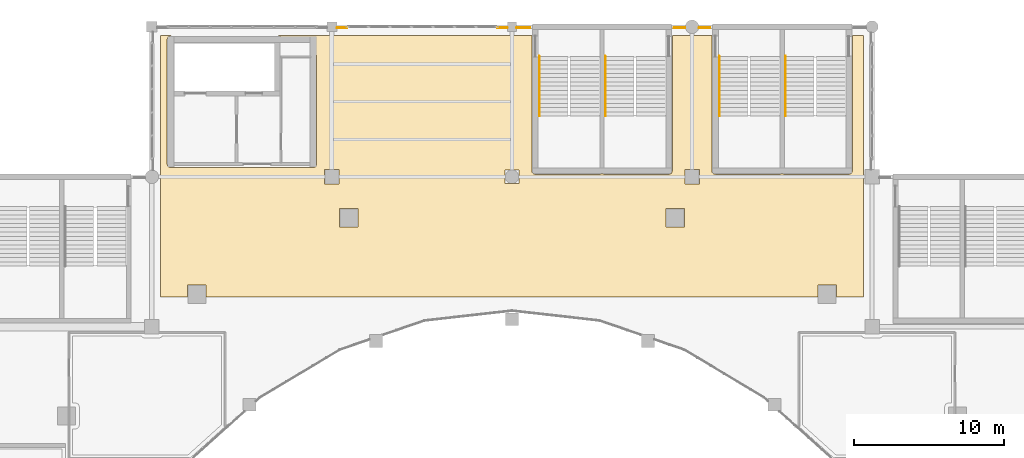
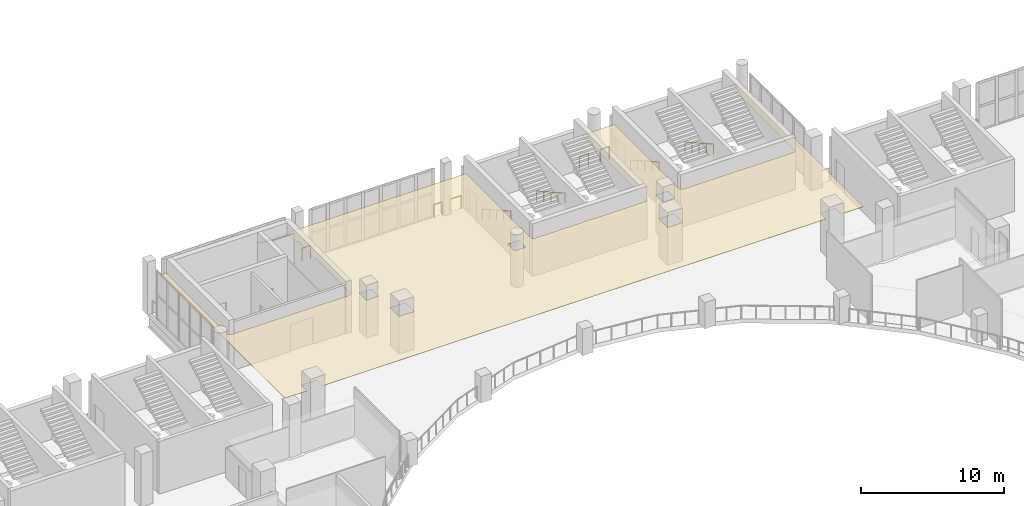
# One storey, part 85 of 90: 9 railings, 1 covering.
"""IFC4 building model written with IfcOpenShell, lengths in metres."""

from ifc_helpers import new_model, si_unit, direction, frame, origin, origin_2d, place, context, subcontext, project, spatial, polyline, circle, outline, extrude, material, layer, layer_set, type_object, element, save


model = new_model("IFC4")

# Units and contexts
model_context = context("Model", 3, precision=1e-05, world=origin(), true_north=direction((0.0, 1.0)))
body_context = subcontext(model_context, "Body", "Model", "MODEL_VIEW")
ifc_project = project(units=[si_unit("LENGTHUNIT", "METRE"), si_unit("AREAUNIT", "SQUARE_METRE"), si_unit("VOLUMEUNIT", "CUBIC_METRE"), si_unit("PLANEANGLEUNIT", "RADIAN"), si_unit("MASSUNIT", "GRAM", prefix="KILO")], contexts=[model_context])

# Site, building, storey
site_placement = place(None, origin())
site = spatial("IfcSite", under=ifc_project, at=site_placement, CompositionType="ELEMENT")
building_placement = place(site_placement, origin())
building = spatial("IfcBuilding", under=site, at=building_placement, Name="Brinegate Civic Arena", CompositionType="ELEMENT")
storey_placement = place(building_placement, frame((0.0, 0.0, 14.699951171875)))
storey = spatial("IfcBuildingStorey", under=building, at=storey_placement, Name="L03", CompositionType="ELEMENT", Elevation=14.699951171875)

# Covering
ifc_material_1 = material(Name="Acoustic perforated aluminium ceiling", Category="aluminium")
ifc_layer = layer(ifc_material_1, 0.034912109375, Name="Acoustic perforated aluminium ceiling")
ifc_layer_set = layer_set([ifc_layer], Name="Acoustic perforated aluminium ceiling")
covering_type = type_object("IfcCoveringType", Name="CEILING-ACOUSTIC-35", PredefinedType="CEILING", material=ifc_layer_set)
covering_placement = place(storey_placement, frame((0.0, 0.0, 3.22509765625)))
element("IfcCovering", 1, at=covering_placement, inside=storey, type_object=covering_type, Name="Acoustic Ceiling L03-003", PredefinedType="CEILING", context=body_context, shape_type="SweptSolid", body=[
    extrude(outline(polyline([(85.25390625, 123.419921875), (85.256103515625, 123.4189453125), (85.258056640625, 123.41796875), (85.259033203125, 123.41796875), (85.260986328125, 123.4169921875), (85.262939453125, 123.4150390625), (85.263916015625, 123.4140625), (85.264892578125, 123.4130859375), (85.26708984375, 123.410888671875), (85.26806640625, 123.408935546875), (85.26806640625, 123.407958984375), (85.26904296875, 123.406005859375), (85.27001953125, 123.404052734375), (85.27001953125, 123.402099609375), (85.27001953125, 123.39990234375), (85.27001953125, 123.39794921875), (85.27001953125, 123.39599609375), (85.26904296875, 123.39404296875), (85.26806640625, 123.39208984375), (85.26806640625, 123.39111328125), (85.26708984375, 123.388916015625), (85.264892578125, 123.386962890625), (85.263916015625, 123.385986328125), (85.262939453125, 123.385009765625), (85.260986328125, 123.383056640625), (85.259033203125, 123.382080078125), (85.258056640625, 123.382080078125), (85.256103515625, 123.381103515625), (85.25390625, 123.3798828125), (85.251953125, 123.3798828125), (85.205078125, 123.375), (85.162109375, 123.362060546875), (85.1220703125, 123.341064453125), (85.0869140625, 123.31298828125), (85.05908203125, 123.278076171875), (85.0380859375, 123.238037109375), (85.02490234375, 123.195068359375), (85.02001953125, 123.14892578125), (85.02001953125, 119.551025390625), (85.02490234375, 119.501953125), (85.02490234375, 119.5), (85.02490234375, 119.498046875), (85.02001953125, 119.448974609375), (85.02001953125, 114.85107421875), (85.02490234375, 114.804931640625), (85.0380859375, 114.761962890625), (85.05908203125, 114.721923828125), (85.0869140625, 114.68701171875), (85.1220703125, 114.658935546875), (85.162109375, 114.637939453125), (85.205078125, 114.625), (85.2509765625, 114.6201171875), (89.59912109375, 114.6201171875), (89.64794921875, 114.625), (89.64990234375, 114.625), (89.652099609375, 114.625), (89.700927734375, 114.6201171875), (92.4990234375, 114.6201171875), (92.548095703125, 114.625), (92.550048828125, 114.625), (92.552001953125, 114.625), (92.60107421875, 114.6201171875), (94.75, 114.6201171875), (94.77294921875, 114.62109375), (94.81689453125, 114.6298828125), (94.85888671875, 114.64794921875), (94.89599609375, 114.673095703125), (94.927001953125, 114.7041015625), (94.952880859375, 114.741943359375), (94.9619140625, 114.760986328125), (94.97509765625, 114.804931640625), (94.97998046875, 114.85107421875), (94.97998046875, 122.0), (94.97900390625, 122.02294921875), (94.969970703125, 122.06689453125), (94.951904296875, 122.10888671875), (94.94091796875, 122.1279296875), (94.927978515625, 122.14599609375), (94.89599609375, 122.177001953125), (94.85791015625, 122.202880859375), (94.837890625, 122.212890625), (94.818115234375, 122.219970703125), (94.800048828125, 122.222900390625), (94.800048828125, 123.199951171875), (92.674072265625, 123.199951171875), (92.669921875, 123.217041015625), (92.652099609375, 123.259033203125), (92.626953125, 123.2958984375), (92.595947265625, 123.326904296875), (92.55810546875, 123.35302734375), (92.5390625, 123.362060546875), (92.4951171875, 123.375), (92.447998046875, 123.3798828125), (92.446044921875, 123.3798828125), (92.444091796875, 123.381103515625), (92.44189453125, 123.382080078125), (92.44091796875, 123.382080078125), (92.43896484375, 123.383056640625), (92.43701171875, 123.385009765625), (92.43603515625, 123.385986328125), (92.43505859375, 123.386962890625), (92.43310546875, 123.388916015625), (92.431884765625, 123.39111328125), (92.431884765625, 123.39208984375), (92.430908203125, 123.39404296875), (92.429931640625, 123.39599609375), (92.429931640625, 123.39794921875), (92.429931640625, 123.39990234375), (92.429931640625, 123.402099609375), (92.429931640625, 123.404052734375), (92.430908203125, 123.406005859375), (92.431884765625, 123.407958984375), (92.431884765625, 123.408935546875), (92.43310546875, 123.410888671875), (92.43505859375, 123.4130859375), (92.43603515625, 123.4140625), (92.43701171875, 123.4150390625), (92.43896484375, 123.4169921875), (92.44091796875, 123.41796875), (92.44189453125, 123.41796875), (92.444091796875, 123.4189453125), (92.446044921875, 123.419921875), (92.447998046875, 123.419921875), (92.449951171875, 123.419921875), (109.300048828125, 123.419921875), (109.302001953125, 123.419921875), (109.303955078125, 123.419921875), (109.305908203125, 123.4189453125), (109.30810546875, 123.41796875), (109.30908203125, 123.41796875), (109.31103515625, 123.4169921875), (109.31298828125, 123.4150390625), (109.31396484375, 123.4140625), (109.31494140625, 123.4130859375), (109.31689453125, 123.410888671875), (109.318115234375, 123.408935546875), (109.318115234375, 123.407958984375), (109.319091796875, 123.406005859375), (109.320068359375, 123.404052734375), (109.320068359375, 123.402099609375), (109.320068359375, 123.39990234375), (109.320068359375, 114.40087890625), (109.324951171875, 114.35498046875), (109.337890625, 114.31201171875), (109.35888671875, 114.27197265625), (109.386962890625, 114.237060546875), (109.422119140625, 114.208984375), (109.4619140625, 114.18798828125), (109.5048828125, 114.175048828125), (109.551025390625, 114.169921875), (113.85498046875, 114.169921875), (113.8779296875, 114.1708984375), (113.922119140625, 114.179931640625), (113.964111328125, 114.197998046875), (113.989013671875, 114.214111328125), (113.990966796875, 114.215087890625), (113.992919921875, 114.216064453125), (113.9951171875, 114.216064453125), (113.9970703125, 114.217041015625), (113.9990234375, 114.217041015625), (114.0009765625, 114.217041015625), (114.0029296875, 114.217041015625), (114.0048828125, 114.216064453125), (114.007080078125, 114.216064453125), (114.009033203125, 114.215087890625), (114.010986328125, 114.214111328125), (114.035888671875, 114.197998046875), (114.077880859375, 114.179931640625), (114.1220703125, 114.1708984375), (114.14501953125, 114.169921875), (118.448974609375, 114.169921875), (118.4951171875, 114.175048828125), (118.5380859375, 114.18798828125), (118.577880859375, 114.208984375), (118.613037109375, 114.237060546875), (118.64111328125, 114.27197265625), (118.662109375, 114.31201171875), (118.675048828125, 114.35498046875), (118.679931640625, 114.40087890625), (118.679931640625, 123.39990234375), (118.679931640625, 123.402099609375), (118.679931640625, 123.404052734375), (118.680908203125, 123.406005859375), (118.681884765625, 123.407958984375), (118.681884765625, 123.408935546875), (118.68310546875, 123.410888671875), (118.68505859375, 123.4130859375), (118.68603515625, 123.4140625), (118.68701171875, 123.4150390625), (118.68896484375, 123.4169921875), (118.69091796875, 123.41796875), (118.69189453125, 123.41796875), (118.694091796875, 123.4189453125), (118.696044921875, 123.419921875), (118.697998046875, 123.419921875), (118.699951171875, 123.419921875), (121.300048828125, 123.419921875), (121.302001953125, 123.419921875), (121.303955078125, 123.419921875), (121.305908203125, 123.4189453125), (121.30810546875, 123.41796875), (121.30908203125, 123.41796875), (121.31103515625, 123.4169921875), (121.31298828125, 123.4150390625), (121.31396484375, 123.4140625), (121.31494140625, 123.4130859375), (121.31689453125, 123.410888671875), (121.318115234375, 123.408935546875), (121.318115234375, 123.407958984375), (121.319091796875, 123.406005859375), (121.320068359375, 123.404052734375), (121.320068359375, 123.402099609375), (121.320068359375, 123.39990234375), (121.320068359375, 114.39990234375), (121.321044921875, 114.376953125), (121.330078125, 114.3330078125), (121.347900390625, 114.291015625), (121.373046875, 114.25390625), (121.404052734375, 114.222900390625), (121.44189453125, 114.197021484375), (121.4609375, 114.18798828125), (121.5048828125, 114.175048828125), (121.551025390625, 114.169921875), (125.85498046875, 114.169921875), (125.8779296875, 114.1708984375), (125.922119140625, 114.179931640625), (125.964111328125, 114.197998046875), (125.989013671875, 114.214111328125), (125.990966796875, 114.215087890625), (125.992919921875, 114.216064453125), (125.9951171875, 114.216064453125), (125.9970703125, 114.217041015625), (125.9990234375, 114.217041015625), (126.0009765625, 114.217041015625), (126.0029296875, 114.217041015625), (126.0048828125, 114.216064453125), (126.007080078125, 114.216064453125), (126.009033203125, 114.215087890625), (126.010986328125, 114.214111328125), (126.035888671875, 114.197998046875), (126.077880859375, 114.179931640625), (126.1220703125, 114.1708984375), (126.14501953125, 114.169921875), (130.448974609375, 114.169921875), (130.4951171875, 114.175048828125), (130.5390625, 114.18798828125), (130.55810546875, 114.197021484375), (130.595947265625, 114.222900390625), (130.6279296875, 114.25390625), (130.64111328125, 114.27197265625), (130.652099609375, 114.291015625), (130.669921875, 114.3330078125), (130.675048828125, 114.35400390625), (130.679931640625, 114.40087890625), (130.679931640625, 123.39990234375), (130.679931640625, 123.402099609375), (130.679931640625, 123.404052734375), (130.680908203125, 123.406005859375), (130.681884765625, 123.407958984375), (130.681884765625, 123.408935546875), (130.68310546875, 123.410888671875), (130.68505859375, 123.4130859375), (130.68603515625, 123.4140625), (130.68701171875, 123.4150390625), (130.68896484375, 123.4169921875), (130.69091796875, 123.41796875), (130.69189453125, 123.41796875), (130.694091796875, 123.4189453125), (130.696044921875, 123.419921875), (130.697998046875, 123.419921875), (130.699951171875, 123.419921875), (131.39990234375, 123.419921875), (131.402099609375, 123.419921875), (131.404052734375, 123.419921875), (131.406005859375, 123.4189453125), (131.407958984375, 123.41796875), (131.408935546875, 123.41796875), (131.410888671875, 123.4169921875), (131.4130859375, 123.4150390625), (131.4140625, 123.4140625), (131.4150390625, 123.4130859375), (131.4169921875, 123.410888671875), (131.41796875, 123.408935546875), (131.41796875, 123.407958984375), (131.4189453125, 123.406005859375), (131.419921875, 123.404052734375), (131.419921875, 123.402099609375), (131.419921875, 123.39990234375), (131.419921875, 106.0), (131.419921875, 105.998046875), (131.419921875, 105.99609375), (131.4189453125, 105.993896484375), (131.41796875, 105.991943359375), (131.41796875, 105.990966796875), (131.4169921875, 105.989013671875), (131.4150390625, 105.987060546875), (131.4140625, 105.986083984375), (131.4130859375, 105.985107421875), (131.410888671875, 105.98291015625), (131.408935546875, 105.98193359375), (131.407958984375, 105.98193359375), (131.406005859375, 105.98095703125), (131.404052734375, 105.97998046875), (131.402099609375, 105.97998046875), (131.39990234375, 105.97998046875), (129.610107421875, 105.97998046875), (129.610107421875, 106.777099609375), (128.389892578125, 106.777099609375), (128.389892578125, 105.97998046875), (87.610107421875, 105.97998046875), (87.610107421875, 106.777099609375), (86.389892578125, 106.777099609375), (86.389892578125, 105.97998046875), (84.60009765625, 105.97998046875), (84.597900390625, 105.97998046875), (84.595947265625, 105.97998046875), (84.593994140625, 105.98095703125), (84.592041015625, 105.98193359375), (84.591064453125, 105.98193359375), (84.589111328125, 105.98291015625), (84.5869140625, 105.985107421875), (84.5859375, 105.986083984375), (84.5849609375, 105.987060546875), (84.5830078125, 105.989013671875), (84.58203125, 105.990966796875), (84.58203125, 105.991943359375), (84.5810546875, 105.993896484375), (84.580078125, 105.99609375), (84.580078125, 105.998046875), (84.580078125, 106.0), (84.580078125, 123.39990234375), (84.580078125, 123.402099609375), (84.580078125, 123.404052734375), (84.5810546875, 123.406005859375), (84.58203125, 123.407958984375), (84.58203125, 123.408935546875), (84.5830078125, 123.410888671875), (84.5849609375, 123.4130859375), (84.5859375, 123.4140625), (84.5869140625, 123.4150390625), (84.589111328125, 123.4169921875), (84.591064453125, 123.41796875), (84.592041015625, 123.41796875), (84.593994140625, 123.4189453125), (84.595947265625, 123.419921875), (84.597900390625, 123.419921875), (84.60009765625, 123.419921875), (85.25, 123.419921875), (85.251953125, 123.419921875), (85.25390625, 123.419921875)]), holes=[polyline([(97.739990234375, 111.8720703125), (96.52001953125, 111.8720703125), (96.52001953125, 110.652099609375), (97.739990234375, 110.652099609375), (97.739990234375, 111.8720703125)]), polyline([(96.485107421875, 114.485107421875), (95.514892578125, 114.485107421875), (95.514892578125, 113.514892578125), (96.485107421875, 113.514892578125), (96.485107421875, 114.485107421875)]), polyline([(107.5400390625, 114.4599609375), (107.5400390625, 113.5400390625), (108.4599609375, 113.5400390625), (108.4599609375, 114.4599609375), (107.5400390625, 114.4599609375)]), polyline([(119.47998046875, 111.8720703125), (118.260009765625, 111.8720703125), (118.260009765625, 110.652099609375), (119.47998046875, 110.652099609375), (119.47998046875, 111.8720703125)]), polyline([(119.514892578125, 114.485107421875), (119.514892578125, 113.514892578125), (120.485107421875, 113.514892578125), (120.485107421875, 114.485107421875), (119.514892578125, 114.485107421875)])]), origin(), (0.0, 0.0, 1.0), 0.034912109375),
])

# Railings
ifc_material_2 = material(Name="Architectural stainless steel balustrade", Category="steel")
railing_type_1 = type_object("IfcRailingType", Name="RAIL-STAIR-HANDRAIL-900", PredefinedType="HANDRAIL", material=ifc_material_2)
for number, where, name in (
    (2, (121.824951171875, 118.0400390625, 2.25), "Stair Pitch Handrail ST-03A L03"),
    (3, (126.22509765625, 118.0400390625, 2.25), "Stair Pitch Handrail ST-03B L03"),
    (4, (109.824951171875, 118.0400390625, 2.25), "Stair Pitch Handrail ST-15A L03"),
    (5, (114.22509765625, 118.0400390625, 2.25), "Stair Pitch Handrail ST-15B L03"),
):
    element("IfcRailing", number, at=place(storey_placement, frame(where)), inside=storey, type_object=railing_type_1, Name=name, PredefinedType="HANDRAIL", context=body_context, shape_type="SweptSolid", body=[
        extrude(circle(Radius=0.02392578125, at=origin_2d()), frame((0.0, 0.001220703125, 0.875), z_axis=(0.0, 0.871049806155, -0.491194701923), x_axis=(-1.0, 0.0, 0.0)), (0.0, 0.0, 1.0), 4.57763671875),
        extrude(circle(Radius=0.02099609375, at=origin_2d()), origin(), (0.0, 0.0, 1.0), 0.849853515625),
        extrude(circle(Radius=0.02099609375, at=origin_2d()), frame((0.0, 0.99755859375, -0.5625)), (0.0, 0.0, 1.0), 0.849853515625),
        extrude(circle(Radius=0.02099609375, at=origin_2d()), frame((0.0, 1.9951171875, -1.125)), (0.0, 0.0, 1.0), 0.849853515625),
        extrude(circle(Radius=0.02099609375, at=origin_2d()), frame((0.0, 2.992431640625, -1.6875)), (0.0, 0.0, 1.0), 0.849853515625),
        extrude(circle(Radius=0.02099609375, at=origin_2d()), frame((0.0, 3.989990234375, -2.25)), (0.0, 0.0, 1.0), 0.849853515625),
    ])
railing_type_2 = type_object("IfcRailingType", Name="RAIL-VOID-BALUSTRADE-1120", PredefinedType="BALUSTRADE", material=ifc_material_2)
railing_1_placement = place(storey_placement, frame((96.344970703125, 123.929931640625, 0.0)))
element("IfcRailing", 6, at=railing_1_placement, inside=storey, type_object=railing_type_2, Name="Deck Edge Balustrade L03-239", PredefinedType="BALUSTRADE", context=body_context, shape_type="SweptSolid", body=[
    extrude(circle(Radius=0.02392578125, at=origin_2d()), frame((0.00146484375, 0.0, 1.09619140625), z_axis=(1.0, 0.0, 0.0), x_axis=(0.0, 1.0, 0.0)), (0.0, 0.0, 1.0), 0.662109375),
    extrude(circle(Radius=0.02099609375, at=origin_2d()), origin(), (0.0, 0.0, 1.0), 1.070068359375),
    extrude(circle(Radius=0.02099609375, at=origin_2d()), frame((0.6650390625, 0.0, 0.0)), (0.0, 0.0, 1.0), 1.070068359375),
])
railing_2_placement = place(storey_placement, frame((107.02587890625, 123.929931640625, 0.0)))
element("IfcRailing", 7, at=railing_2_placement, inside=storey, type_object=railing_type_2, Name="Deck Edge Balustrade L03-240", PredefinedType="BALUSTRADE", context=body_context, shape_type="SweptSolid", body=[
    extrude(circle(Radius=0.02392578125, at=origin_2d()), frame((0.00146484375, 0.0, 1.09619140625), z_axis=(1.0, 0.0, 0.0), x_axis=(0.0, 1.0, 0.0)), (0.0, 0.0, 1.0), 0.651123046875),
    extrude(circle(Radius=0.02099609375, at=origin_2d()), origin(), (0.0, 0.0, 1.0), 1.070068359375),
    extrude(circle(Radius=0.02099609375, at=origin_2d()), frame((0.654052734375, 0.0, 0.0)), (0.0, 0.0, 1.0), 1.070068359375),
])
railing_3_placement = place(storey_placement, frame((108.320068359375, 123.929931640625, 0.0)))
element("IfcRailing", 8, at=railing_3_placement, inside=storey, type_object=railing_type_2, Name="Deck Edge Balustrade L03-241", PredefinedType="BALUSTRADE", context=body_context, shape_type="SweptSolid", body=[
    extrude(circle(Radius=0.02392578125, at=origin_2d()), frame((0.00146484375, 0.0, 1.09619140625), z_axis=(1.0, 0.0, 0.0), x_axis=(0.0, 1.0, 0.0)), (0.0, 0.0, 1.0), 0.876953125),
    extrude(circle(Radius=0.02099609375, at=origin_2d()), origin(), (0.0, 0.0, 1.0), 1.070068359375),
    extrude(circle(Radius=0.02099609375, at=origin_2d()), frame((0.8798828125, 0.0, 0.0)), (0.0, 0.0, 1.0), 1.070068359375),
])
for number, where, name in (
    (9, (118.800048828125, 123.929931640625, 0.0), "Deck Edge Balustrade L03-242"),
    (10, (120.469970703125, 123.929931640625, 0.0), "Deck Edge Balustrade L03-243"),
):
    element("IfcRailing", number, at=place(storey_placement, frame(where)), inside=storey, type_object=railing_type_2, Name=name, PredefinedType="BALUSTRADE", context=body_context, shape_type="SweptSolid", body=[
        extrude(circle(Radius=0.02392578125, at=origin_2d()), frame((0.00146484375, 0.0, 1.09619140625), z_axis=(1.0, 0.0, 0.0), x_axis=(0.0, 1.0, 0.0)), (0.0, 0.0, 1.0), 0.72705078125),
        extrude(circle(Radius=0.02099609375, at=origin_2d()), origin(), (0.0, 0.0, 1.0), 1.070068359375),
        extrude(circle(Radius=0.02099609375, at=origin_2d()), frame((0.72998046875, 0.0, 0.0)), (0.0, 0.0, 1.0), 1.070068359375),
    ])

save(model, "model.ifc")
